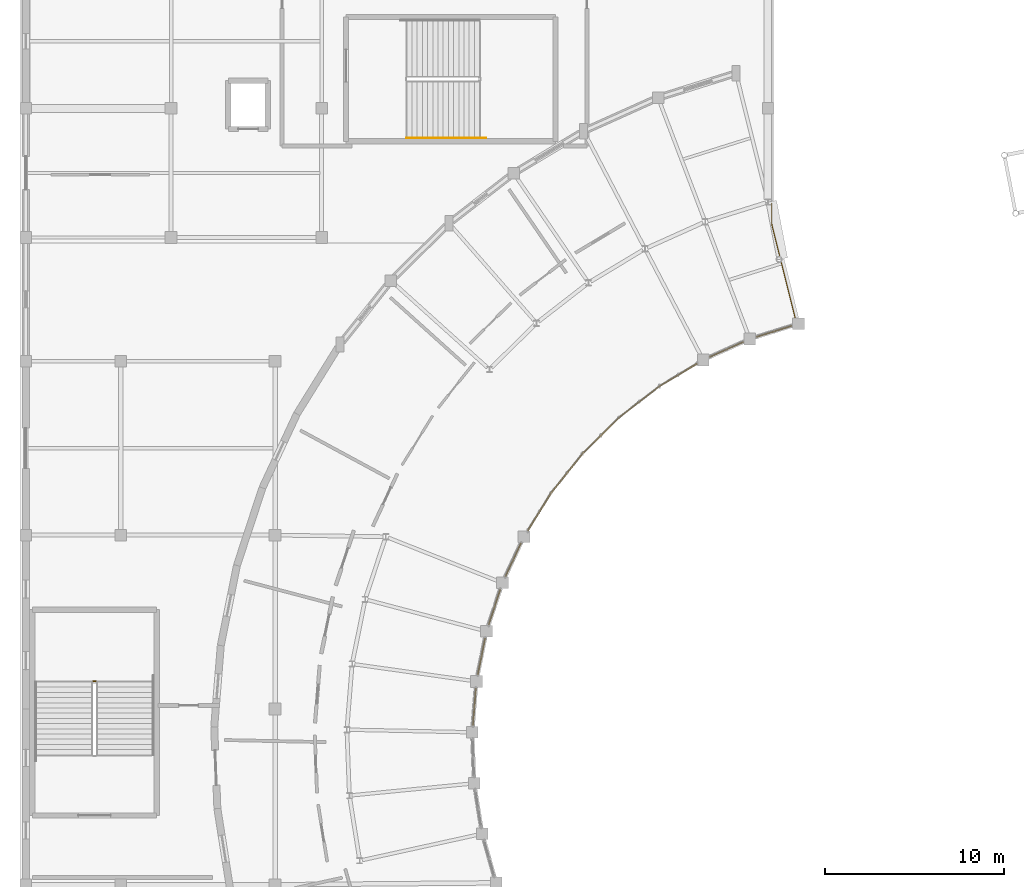
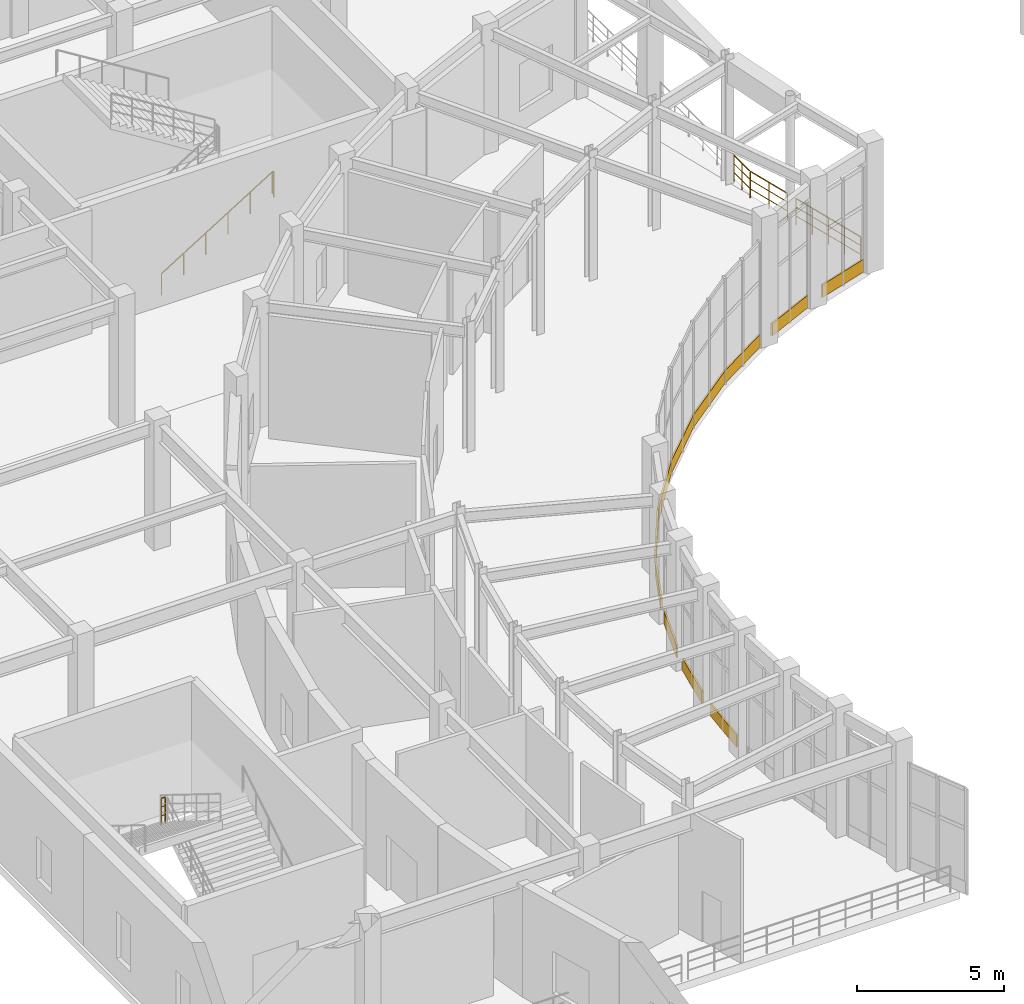
# One storey, part 88 of 93: 11 coverings, 5 railings.
"""IFC4 building model written with IfcOpenShell, lengths in metres."""

import ifcopenshell
import ifcopenshell.guid

model = None  # the IFC model being written
_history = None  # IfcOwnerHistory: only IFC2X3 demands one
_inside = {}  # id of a spatial element -> (the spatial element, [elements in it])
_under = {}  # id of a project, library or spatial element -> (it, [spatial elements below it])
_declared = {}  # id of a project -> (the project, [libraries it declares])
_typed = {}  # id of a type object -> (the type object, [elements of that type])
_made_of = {}  # id of a material, layer set ... -> (it, [elements and type objects made of it])


def new_model(schema):
    """Start an empty IFC model of exactly this schema.

    Asked for "IFC4X3", IfcOpenShell would pick the latest addendum, in which some entities
    have other attributes; the version numbers below select the first issue.
    IFC2X3 requires an IfcOwnerHistory on every rooted entity: one is made here for all.
    """
    global model, _history
    if schema == "IFC4X3":
        model = ifcopenshell.file(schema_version=(4, 3, 0, 0))
    else:
        model = ifcopenshell.file(schema=schema)
    _inside.clear()
    _under.clear()
    _declared.clear()
    _typed.clear()
    _made_of.clear()
    _history = None
    if model.schema == "IFC2X3":
        org = make("IfcOrganization", Name="unknown")
        user = make(
            "IfcPersonAndOrganization",
            ThePerson=make("IfcPerson", FamilyName="unknown"),
            TheOrganization=org,
        )
        app = make(
            "IfcApplication",
            ApplicationDeveloper=org,
            Version="unknown",
            ApplicationFullName="unknown",
            ApplicationIdentifier="unknown",
        )
        _history = make(
            "IfcOwnerHistory",
            OwningUser=user,
            OwningApplication=app,
            ChangeAction="ADDED",
            CreationDate=0,
        )
    return model


def make(cls, **values):
    """One entity of the class cls with the attributes given. An attribute that is None is left unset."""
    return model.create_entity(
        cls, **{name: value for name, value in values.items() if value is not None}
    )


def rooted(cls, **values):
    """An entity with a GlobalId (a new one), such as an element, a storey or a relation."""
    return make(cls, GlobalId=ifcopenshell.guid.new(), OwnerHistory=_history, **values)


def si_unit(unit_type, name, prefix=None):
    """IfcSIUnit, for example si_unit("LENGTHUNIT", "METRE", prefix="MILLI")."""
    return make("IfcSIUnit", UnitType=unit_type, Prefix=prefix, Name=name)


def assignment(units):
    """IfcUnitAssignment: the units of a project."""
    return None if units is None else make("IfcUnitAssignment", Units=units)


def point(xyz):
    """IfcCartesianPoint."""
    return None if xyz is None else make("IfcCartesianPoint", Coordinates=xyz)


def direction(xyz):
    """IfcDirection."""
    return None if xyz is None else make("IfcDirection", DirectionRatios=xyz)


def frame(location, z_axis=None, x_axis=None):
    """IfcAxis2Placement3D, a coordinate frame: its origin and axes. An axis left out is left unset."""
    return make(
        "IfcAxis2Placement3D",
        Location=point(location),
        Axis=direction(z_axis),
        RefDirection=direction(x_axis),
    )


def frame_2d(location, x_axis=None):
    """IfcAxis2Placement2D, a coordinate frame in the plane: its origin and x axis."""
    return make(
        "IfcAxis2Placement2D", Location=point(location), RefDirection=direction(x_axis)
    )


def origin():
    """The frame at (0, 0, 0) with its axes left unset."""
    return frame((0.0, 0.0, 0.0))


def origin_2d():
    """The frame at (0, 0) in the plane with its x axis left unset."""
    return frame_2d((0.0, 0.0))


def place(relative_to, where):
    """IfcLocalPlacement: puts the frame where relative to a parent placement (None: the world)."""
    return make(
        "IfcLocalPlacement", PlacementRelTo=relative_to, RelativePlacement=where
    )


def context(
    kind, dimensions, precision=None, world=None, true_north=None, identifier=None
):
    """IfcGeometricRepresentationContext, for example the 3D "Model" context."""
    return make(
        "IfcGeometricRepresentationContext",
        ContextIdentifier=identifier,
        ContextType=kind,
        CoordinateSpaceDimension=dimensions,
        Precision=precision,
        WorldCoordinateSystem=world,
        TrueNorth=true_north,
    )


def subcontext(parent, identifier, kind, view, scale=None):
    """IfcGeometricRepresentationSubContext, for example "Body" below "Model"."""
    return make(
        "IfcGeometricRepresentationSubContext",
        ContextIdentifier=identifier,
        ContextType=kind,
        ParentContext=parent,
        TargetScale=scale,
        TargetView=view,
    )


def project(units=None, contexts=None):
    """IfcProject with its units and contexts."""
    return rooted(
        "IfcProject",
        Name="project",
        RepresentationContexts=contexts,
        UnitsInContext=assignment(units),
    )


def spatial(cls, under=None, at=None, **own):
    """A site, building, storey or space (cls), placed at a placement, below another one or the project."""
    s = rooted(cls, ObjectPlacement=at, **own)
    if under is not None:
        _under.setdefault(under.id(), (under, []))[1].append(s)
    return s


def profile(cls, at=None, kind="AREA", **sizes):
    """A parametric profile (cls). Its sizes go by their IFC names, for example OverallWidth=200.0."""
    return make(cls, ProfileType=kind, Position=at, **sizes)


def rectangle(**sizes):
    """IfcRectangleProfileDef."""
    return profile("IfcRectangleProfileDef", **sizes)


def circle(**sizes):
    """IfcCircleProfileDef."""
    return profile("IfcCircleProfileDef", **sizes)


def extrude(swept, where, along, depth):
    """IfcExtrudedAreaSolid: the profile swept, set in the frame where, extruded along a direction by depth."""
    return make(
        "IfcExtrudedAreaSolid",
        SweptArea=swept,
        Position=where,
        ExtrudedDirection=direction(along),
        Depth=depth,
    )


def shape(context_of_items, identifier, shape_type, items):
    """IfcShapeRepresentation: the items that make up one representation, for example the "Body"."""
    return make(
        "IfcShapeRepresentation",
        ContextOfItems=context_of_items,
        RepresentationIdentifier=identifier,
        RepresentationType=shape_type,
        Items=items,
    )


def material(Name=None, Category=None):
    """IfcMaterial."""
    return make("IfcMaterial", Name=Name, Category=Category)


def layer(
    of_material, thickness, ventilated=None, Name=None, Category=None, Priority=None
):
    """IfcMaterialLayer: one layer of a wall or slab, of a material (None: an air gap)."""
    return make(
        "IfcMaterialLayer",
        Material=of_material,
        LayerThickness=thickness,
        IsVentilated=ventilated,
        Name=Name,
        Category=Category,
        Priority=Priority,
    )


def layer_set(layers, Name=None):
    """IfcMaterialLayerSet."""
    return make("IfcMaterialLayerSet", MaterialLayers=layers, LayerSetName=Name)


def made_of(thing, what):
    """Note that an element or type object is made of a material, layer set ...; save() writes the relation."""
    if what is not None:
        _made_of.setdefault(what.id(), (what, []))[1].append(thing)
    return thing


def type_object(cls, material=None, **own):
    """A type object (cls), such as IfcWallType, which elements share."""
    return made_of(rooted(cls, **own), material)


def element(
    cls,
    number,
    at=None,
    inside=None,
    cuts=None,
    type_object=None,
    material=None,
    context=None,
    identifier="Body",
    shape_type=None,
    held_by="IfcProductDefinitionShape",
    body=None,
    shapes=None,
    **own,
):
    """One element of the class cls, such as IfcWall. Its Tag is "e" and its number.

    at: its placement. inside: the storey or other place that contains it. cuts: it is an
    opening in that element (IfcRelVoidsElement). A single representation is given by context,
    identifier, shape_type and body (its items); several are given by shapes. held_by: the class
    of the entity that holds the representations. save() writes the other relations.
    """
    e = rooted(cls, Tag="e%d" % number, ObjectPlacement=at, **own)
    if body is not None:
        shapes = [shape(context, identifier, shape_type, body)]
    if shapes is not None:
        e.Representation = make(held_by, Representations=shapes)
    if inside is not None:
        _inside.setdefault(inside.id(), (inside, []))[1].append(e)
    if cuts is not None:
        rooted(
            "IfcRelVoidsElement", RelatingBuildingElement=cuts, RelatedOpeningElement=e
        )
    if type_object is not None:
        _typed.setdefault(type_object.id(), (type_object, []))[1].append(e)
    return made_of(e, material)


def aggregate(whole, parts):
    """IfcRelAggregates: a whole, such as a stair, and the parts it consists of."""
    return rooted("IfcRelAggregates", RelatingObject=whole, RelatedObjects=parts)


def save(model, path):
    """Write the relations noted so far, then the file.

    IfcRelAggregates (storeys below a building ...), IfcRelContainedInSpatialStructure (elements
    in a storey), IfcRelDefinesByType, IfcRelAssociatesMaterial and IfcRelDeclares: one each for
    every whole, place, type object, material and project.
    """
    for whole, parts in _under.values():
        aggregate(whole, parts)
    for where, things in _inside.values():
        rooted(
            "IfcRelContainedInSpatialStructure",
            RelatedElements=things,
            RelatingStructure=where,
        )
    for kind, things in _typed.values():
        rooted("IfcRelDefinesByType", RelatedObjects=things, RelatingType=kind)
    for what, things in _made_of.values():
        rooted("IfcRelAssociatesMaterial", RelatedObjects=things, RelatingMaterial=what)
    for by, libraries in _declared.values():
        rooted("IfcRelDeclares", RelatingContext=by, RelatedDefinitions=libraries)
    model.write(path)


model = new_model("IFC4")

# Units and contexts
model_context = context("Model", 3, precision=1e-05, world=origin(), true_north=direction((0.0, 1.0)))
body_context = subcontext(model_context, "Body", "Model", "MODEL_VIEW")
ifc_project = project(units=[si_unit("LENGTHUNIT", "METRE"), si_unit("AREAUNIT", "SQUARE_METRE"), si_unit("VOLUMEUNIT", "CUBIC_METRE"), si_unit("PLANEANGLEUNIT", "RADIAN"), si_unit("MASSUNIT", "GRAM", prefix="KILO")], contexts=[model_context])

# Site, building, storey
site_placement = place(None, origin())
site = spatial("IfcSite", under=ifc_project, at=site_placement, CompositionType="ELEMENT")
building_placement = place(site_placement, origin())
building = spatial("IfcBuilding", under=site, at=building_placement, Name="Cinderbank Siding Concert Hall", CompositionType="ELEMENT")
storey_placement = place(building_placement, origin())
storey = spatial("IfcBuildingStorey", under=building, at=storey_placement, Name="L01", CompositionType="ELEMENT", Elevation=0.0)

# Coverings
ifc_material_1 = material(Name="Spotted gum glulam timber GL18 (42 MPa)", Category="wood")
ifc_layer = layer(ifc_material_1, 0.06494140625)
ifc_layer_set = layer_set([ifc_layer], Name="Spotted gum glulam timber GL18 (42 MPa)")
covering_type = type_object("IfcCoveringType", Name="CL-01 Spotted Gum Spandrel Band 520mm", PredefinedType="CLADDING", material=ifc_layer_set)
covering_1_placement = place(storey_placement, frame((48.835693359375, 90.861328125, 0.0), z_axis=(0.0, 0.0, 1.0), x_axis=(-0.954240278145, -0.29904095299, 0.0)))
element("IfcCovering", 1, at=covering_1_placement, inside=storey, type_object=covering_type, Name="CW-L01-093 Spotted Gum Spandrel Band", PredefinedType="CLADDING", context=body_context, shape_type="SweptSolid", body=[
    extrude(rectangle(XDim=2.06689453125, YDim=0.06494140625, at=origin_2d()), origin(), (0.0, 0.0, 1.0), 0.52001953125),
])
covering_2_placement = place(storey_placement, frame((46.17919921875, 89.852294921875, 0.0), z_axis=(0.0, 0.0, 1.0), x_axis=(-0.912121872087, -0.409919126731, 0.0)))
element("IfcCovering", 2, at=covering_2_placement, inside=storey, type_object=covering_type, Name="CW-L01-094 Spotted Gum Spandrel Band", PredefinedType="CLADDING", context=body_context, shape_type="SweptSolid", body=[
    extrude(rectangle(XDim=2.066650390625, YDim=0.06494140625, at=origin_2d()), origin(), (0.0, 0.0, 1.0), 0.52001953125),
])
covering_3_placement = place(storey_placement, frame((43.49365234375, 88.435302734375, 0.0), z_axis=(0.0, 0.0, 1.0), x_axis=(-0.857161096841, -0.515048399727, 0.0)))
element("IfcCovering", 3, at=covering_3_placement, inside=storey, type_object=covering_type, Name="CW-L01-095 Spotted Gum Spandrel Band", PredefinedType="CLADDING", context=body_context, shape_type="SweptSolid", body=[
    extrude(rectangle(XDim=2.456787109375, YDim=0.06494140625, at=origin_2d()), origin(), (0.0, 0.0, 1.0), 0.52001953125),
])
for number, where, z_axis, x_axis, name in (
    (4, (41.316162109375, 86.930419921875, 0.0), (0.0, 0.0, 1.0), (-0.790161124037, -0.612899174466, 0.0), "CW-L01-096 Spotted Gum Spandrel Band"),
    (5, (39.177978515625, 85.05859375, 0.0), (0.0, 0.0, 1.0), (-0.712024905281, -0.702154209743, 0.0), "CW-L01-097 Spotted Gum Spandrel Band"),
    (6, (37.276611328125, 82.94677734375, 0.0), (0.0, 0.0, 1.0), (-0.62388932091, -0.781512709592, 0.0), "CW-L01-098 Spotted Gum Spandrel Band"),
):
    element("IfcCovering", number, at=place(storey_placement, frame(where, z_axis=z_axis, x_axis=x_axis)), inside=storey, type_object=covering_type, Name=name, PredefinedType="CLADDING", context=body_context, shape_type="SweptSolid", body=[
        extrude(rectangle(XDim=2.8466796875, YDim=0.06494140625, at=origin_2d()), origin(), (0.0, 0.0, 1.0), 0.52001953125),
    ])
covering_4_placement = place(storey_placement, frame((35.7412109375, 80.790283203125, 0.0), z_axis=(0.0, 0.0, 1.0), x_axis=(-0.526957938243, -0.849891364424, 0.0)))
element("IfcCovering", 7, at=covering_4_placement, inside=storey, type_object=covering_type, Name="CW-L01-099 Spotted Gum Spandrel Band", PredefinedType="CLADDING", context=body_context, shape_type="SweptSolid", body=[
    extrude(rectangle(XDim=2.456787109375, YDim=0.06494140625, at=origin_2d()), origin(), (0.0, 0.0, 1.0), 0.52001953125),
])
for number, where, z_axis, x_axis, name in (
    (8, (34.286865234375, 78.125, 0.0), (0.0, 0.0, 1.0), (-0.422596979175, -0.906317710956, 0.0), "CW-L01-100 Spotted Gum Spandrel Band"),
    (9, (33.24072265625, 75.48291015625, 0.0), (0.0, 0.0, 1.0), (-0.312357553034, -0.949964609374, 0.0), "CW-L01-101 Spotted Gum Spandrel Band"),
    (10, (32.514892578125, 72.735595703125, 0.0), (0.0, 0.0, 1.0), (-0.197635905492, -0.980275496409, 0.0), "CW-L01-102 Spotted Gum Spandrel Band"),
):
    element("IfcCovering", number, at=place(storey_placement, frame(where, z_axis=z_axis, x_axis=x_axis)), inside=storey, type_object=covering_type, Name=name, PredefinedType="CLADDING", context=body_context, shape_type="SweptSolid", body=[
        extrude(rectangle(XDim=2.066650390625, YDim=0.06494140625, at=origin_2d()), origin(), (0.0, 0.0, 1.0), 0.52001953125),
    ])
covering_5_placement = place(storey_placement, frame((32.119384765625, 69.92138671875, 0.0), z_axis=(0.0, 0.0, 1.0), x_axis=(-0.0801961758, -0.996779099594, 0.0)))
element("IfcCovering", 11, at=covering_5_placement, inside=storey, type_object=covering_type, Name="CW-L01-103 Spotted Gum Spandrel Band", PredefinedType="CLADDING", context=body_context, shape_type="SweptSolid", body=[
    extrude(rectangle(XDim=2.06689453125, YDim=0.06494140625, at=origin_2d()), origin(), (0.0, 0.0, 1.0), 0.52001953125),
])

# Railings
ifc_material_2 = material(Name="Structural steel AS/NZS 3679.1 Grade 350 (340 MPa)", Category="steel")
railing_type_1 = type_object("IfcRailingType", Name="GD-01 Terrace & Perimeter Guardrail 1120mm", PredefinedType="GUARDRAIL", material=ifc_material_2)
railing_1_placement = place(storey_placement, frame((48.699951171875, 97.9990234375, 0.0)))
element("IfcRailing", 12, at=railing_1_placement, inside=storey, type_object=railing_type_1, Name="L01 Perimeter Guardrail #16", PredefinedType="GUARDRAIL", context=body_context, shape_type="SweptSolid", body=[
    extrude(circle(Radius=0.02392578125, at=origin_2d()), frame((0.0, 0.0, 1.09619140625), z_axis=(0.0, -1.0, 0.0), x_axis=(1.0, 0.0, 0.0)), (0.0, 0.0, 1.0), 1.133544921875),
    extrude(circle(Radius=0.01611328125, at=origin_2d()), frame((0.0, 0.0, 0.36962890625), z_axis=(0.0, -1.0, 0.0), x_axis=(1.0, 0.0, 0.0)), (0.0, 0.0, 1.0), 1.133544921875),
    extrude(circle(Radius=0.01611328125, at=origin_2d()), frame((0.0, 0.0, 0.7392578125), z_axis=(0.0, -1.0, 0.0), x_axis=(1.0, 0.0, 0.0)), (0.0, 0.0, 1.0), 1.133544921875),
    extrude(circle(Radius=0.02099609375, at=origin_2d()), origin(), (0.0, 0.0, 1.0), 1.072021484375),
    extrude(circle(Radius=0.02099609375, at=origin_2d()), frame((0.0, -0.56689453125, 0.0)), (0.0, 0.0, 1.0), 1.072021484375),
    extrude(circle(Radius=0.02099609375, at=origin_2d()), frame((0.0, -1.133544921875, 0.0)), (0.0, 0.0, 1.0), 1.072021484375),
])
railing_2_placement = place(storey_placement, frame((48.699951171875, 96.865478515625, 0.0)))
element("IfcRailing", 13, at=railing_2_placement, inside=storey, type_object=railing_type_1, Name="L01 Perimeter Guardrail #17", PredefinedType="GUARDRAIL", context=body_context, shape_type="SweptSolid", body=[
    extrude(circle(Radius=0.02392578125, at=origin_2d()), frame((0.0, 0.0, 1.09619140625), z_axis=(0.241967196143, -0.970284430459, 0.0), x_axis=(0.970284430459, 0.241967196143, 0.0)), (0.0, 0.0, 1.0), 1.819091796875),
    extrude(circle(Radius=0.01611328125, at=origin_2d()), frame((0.0, 0.0, 0.36962890625), z_axis=(0.241967196143, -0.970284430459, 0.0), x_axis=(0.970284430459, 0.241967196143, 0.0)), (0.0, 0.0, 1.0), 1.819091796875),
    extrude(circle(Radius=0.01611328125, at=origin_2d()), frame((0.0, 0.0, 0.7392578125), z_axis=(0.241967196143, -0.970284430459, 0.0), x_axis=(0.970284430459, 0.241967196143, 0.0)), (0.0, 0.0, 1.0), 1.819091796875),
    extrude(circle(Radius=0.02099609375, at=origin_2d()), origin(), (0.0, 0.0, 1.0), 1.072021484375),
    extrude(circle(Radius=0.02099609375, at=origin_2d()), frame((0.22021484375, -0.882568359375, 0.0)), (0.0, 0.0, 1.0), 1.072021484375),
    extrude(circle(Radius=0.02099609375, at=origin_2d()), frame((0.440185546875, -1.76513671875, 0.0)), (0.0, 0.0, 1.0), 1.072021484375),
])
railing_3_placement = place(storey_placement, frame((49.240478515625, 94.697265625, 0.0)))
element("IfcRailing", 14, at=railing_3_placement, inside=storey, type_object=railing_type_1, Name="L01 Perimeter Guardrail #18", PredefinedType="GUARDRAIL", context=body_context, shape_type="SweptSolid", body=[
    extrude(circle(Radius=0.02392578125, at=origin_2d()), frame((0.0, 0.0, 1.09619140625), z_axis=(0.241973487802, -0.970282861438, 0.0), x_axis=(0.970282861438, 0.241973487802, 0.0)), (0.0, 0.0, 1.0), 3.168212890625),
    extrude(circle(Radius=0.01611328125, at=origin_2d()), frame((0.0, 0.0, 0.36962890625), z_axis=(0.241973487802, -0.970282861438, 0.0), x_axis=(0.970282861438, 0.241973487802, 0.0)), (0.0, 0.0, 1.0), 3.168212890625),
    extrude(circle(Radius=0.01611328125, at=origin_2d()), frame((0.0, 0.0, 0.7392578125), z_axis=(0.241973487802, -0.970282861438, 0.0), x_axis=(0.970282861438, 0.241973487802, 0.0)), (0.0, 0.0, 1.0), 3.168212890625),
    extrude(circle(Radius=0.02099609375, at=origin_2d()), origin(), (0.0, 0.0, 1.0), 1.072021484375),
    extrude(circle(Radius=0.02099609375, at=origin_2d()), frame((0.191650390625, -0.7685546875, 0.0)), (0.0, 0.0, 1.0), 1.072021484375),
    extrude(circle(Radius=0.02099609375, at=origin_2d()), frame((0.38330078125, -1.537109375, 0.0)), (0.0, 0.0, 1.0), 1.072021484375),
    extrude(circle(Radius=0.02099609375, at=origin_2d()), frame((0.574951171875, -2.305419921875, 0.0)), (0.0, 0.0, 1.0), 1.072021484375),
    extrude(circle(Radius=0.02099609375, at=origin_2d()), frame((0.7666015625, -3.073974609375, 0.0)), (0.0, 0.0, 1.0), 1.072021484375),
])
railing_type_2 = type_object("IfcRailingType", Name="STG-01 Stair Well Guardrail 1120mm", PredefinedType="GUARDRAIL", material=ifc_material_2)
railing_4_placement = place(storey_placement, frame((11.010009765625, 71.360107421875, 2.699951171875)))
element("IfcRailing", 15, at=railing_4_placement, inside=storey, type_object=railing_type_2, Name="L01 ST-09 stair guard 2", PredefinedType="GUARDRAIL", context=body_context, shape_type="SweptSolid", body=[
    extrude(circle(Radius=0.02392578125, at=origin_2d()), frame((0.0, 0.0, 1.09619140625), z_axis=(-1.0, 0.0, 0.0), x_axis=(0.0, -1.0, 0.0)), (0.0, 0.0, 1.0), 0.159912109375),
    extrude(circle(Radius=0.01611328125, at=origin_2d()), frame((0.0, 0.0, 0.36962890625), z_axis=(-1.0, 0.0, 0.0), x_axis=(0.0, -1.0, 0.0)), (0.0, 0.0, 1.0), 0.159912109375),
    extrude(circle(Radius=0.01611328125, at=origin_2d()), frame((0.0, 0.0, 0.7392578125), z_axis=(-1.0, 0.0, 0.0), x_axis=(0.0, -1.0, 0.0)), (0.0, 0.0, 1.0), 0.159912109375),
    extrude(circle(Radius=0.02099609375, at=origin_2d()), origin(), (0.0, 0.0, 1.0), 1.072021484375),
    extrude(circle(Radius=0.02099609375, at=origin_2d()), frame((-0.159912109375, 0.0, 0.0)), (0.0, 0.0, 1.0), 1.072021484375),
])
railing_type_3 = type_object("IfcRailingType", Name="STH-01 Stair Pitch Handrail 920mm", PredefinedType="HANDRAIL", material=ifc_material_2)
railing_5_placement = place(storey_placement, frame((28.35009765625, 101.64990234375, 0.179931640625)))
element("IfcRailing", 16, at=railing_5_placement, inside=storey, type_object=railing_type_3, Name="L01 ST-05 stair handrail 1", PredefinedType="HANDRAIL", context=body_context, shape_type="SweptSolid", body=[
    extrude(circle(Radius=0.02392578125, at=origin_2d()), frame((0.0, 0.0, 0.89599609375), z_axis=(0.849636482215, 0.0, 0.527368797038), x_axis=(0.0, 1.0, 0.0)), (0.0, 0.0, 1.0), 5.11962890625),
    extrude(circle(Radius=0.02392578125, at=origin_2d()), frame((4.349853515625, 0.0, 3.595703125), z_axis=(1.0, 0.0, 0.0), x_axis=(0.0, 1.0, 0.0)), (0.0, 0.0, 1.0), 0.06005859375),
    extrude(circle(Radius=0.02099609375, at=origin_2d()), origin(), (0.0, 0.0, 1.0), 0.871826171875),
    extrude(circle(Radius=0.02099609375, at=origin_2d()), frame((0.869873046875, 0.0, 0.5400390625)), (0.0, 0.0, 1.0), 0.871826171875),
    extrude(circle(Radius=0.02099609375, at=origin_2d()), frame((1.739990234375, 0.0, 1.080078125)), (0.0, 0.0, 1.0), 0.871826171875),
    extrude(circle(Radius=0.02099609375, at=origin_2d()), frame((2.60986328125, 0.0, 1.619873046875)), (0.0, 0.0, 1.0), 0.871826171875),
    extrude(circle(Radius=0.02099609375, at=origin_2d()), frame((3.47998046875, 0.0, 2.159912109375)), (0.0, 0.0, 1.0), 0.871826171875),
    extrude(circle(Radius=0.02099609375, at=origin_2d()), frame((4.349853515625, 0.0, 2.699951171875)), (0.0, 0.0, 1.0), 0.871826171875),
    extrude(circle(Radius=0.02099609375, at=origin_2d()), frame((4.409912109375, 0.0, 2.52001953125)), (0.0, 0.0, 1.0), 1.0517578125),
])

save(model, "model.ifc")
